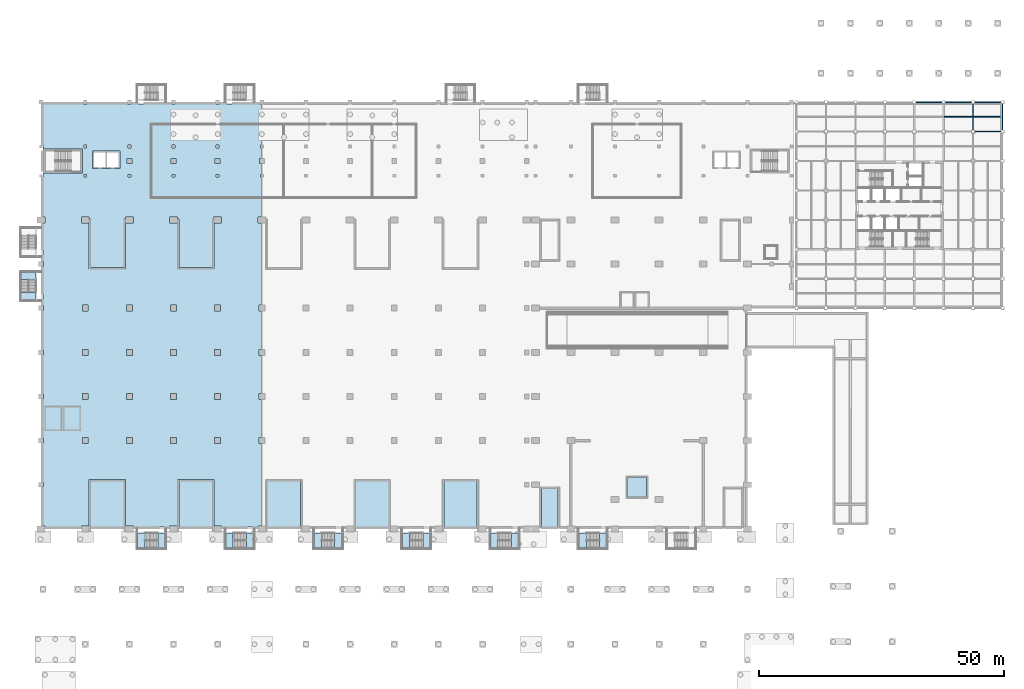
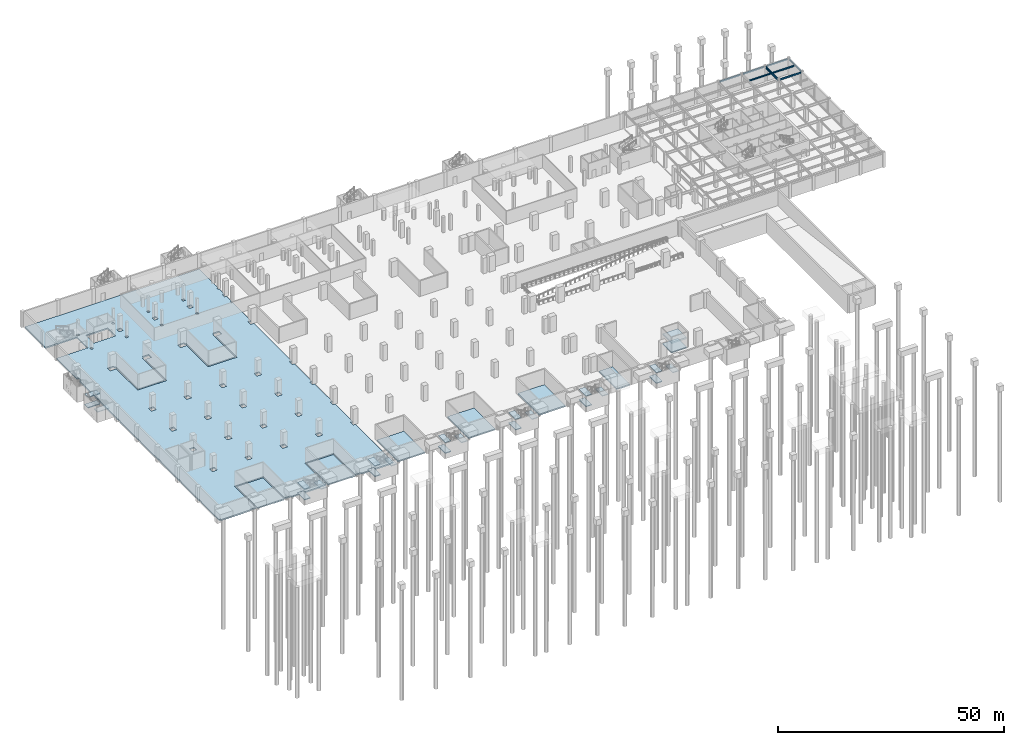
# One storey, part 7 of 27: 30 slabs, 8 beams, 7 elements without a shape of their own.
"""IFC4 building model written with IfcOpenShell, lengths in metres."""

from ifc_helpers import new_model, si_unit, direction, frame, origin, origin_2d, place, context, subcontext, project, spatial, polyline, i_section, outline, extrude, material, layer, layer_set, material_profile, profile_set, type_object, element, aggregate, save


model = new_model("IFC4")

# Units and contexts
model_context = context("Model", 3, precision=1e-05, world=origin(), true_north=direction((0.0, 1.0)))
body_context = subcontext(model_context, "Body", "Model", "MODEL_VIEW")
ifc_project = project(units=[si_unit("LENGTHUNIT", "METRE"), si_unit("AREAUNIT", "SQUARE_METRE"), si_unit("VOLUMEUNIT", "CUBIC_METRE"), si_unit("PLANEANGLEUNIT", "RADIAN"), si_unit("MASSUNIT", "GRAM", prefix="KILO")], contexts=[model_context])

# Site, building, storey
site_placement = place(None, origin())
site = spatial("IfcSite", under=ifc_project, at=site_placement, CompositionType="ELEMENT")
building_placement = place(site_placement, origin())
building = spatial("IfcBuilding", under=site, at=building_placement, Name="Aravalli Gate Trade Fair Centre", CompositionType="ELEMENT")
storey_placement = place(building_placement, frame((0.0, 0.0, -4.199951171875)))
storey = spatial("IfcBuildingStorey", under=building, at=storey_placement, Name="B1", CompositionType="ELEMENT", Elevation=-4.199951171875)

# Beams
ifc_material_1 = material(Name="Steel E350", Category="steel")
ifc_material_profile_1 = material_profile(ifc_material_1, i_section(OverallWidth=0.25, OverallDepth=0.60009765625, WebThickness=0.01123046875, FlangeThickness=0.021240234375, at=origin_2d()), Name="ISWB 600")
ifc_profile_set_1 = profile_set([ifc_material_profile_1], Name="Steel E350")
beam_type_1 = type_object("IfcBeamType", Name="Wing corner transfer girder ISWB 600 (podium floors)", PredefinedType="BEAM", material=ifc_profile_set_1)
beam_1_placement = place(storey_placement, frame((196.0, 127.300048828125, 3.699951171875), z_axis=(0.0, 1.0, 0.0), x_axis=(-1.0, 0.0, 0.0)))
element("IfcBeam", 1, at=beam_1_placement, inside=storey, type_object=beam_type_1, Name="Corner transfer girder CNEyb L00", PredefinedType="BEAM", context=body_context, shape_type="SweptSolid", body=[
    extrude(i_section(OverallWidth=0.25, OverallDepth=0.60009765625, WebThickness=0.01123046875, FlangeThickness=0.021240234375, at=origin_2d()), origin(), (0.0, 0.0, 1.0), 5.39990234375),
])
ifc_material_profile_2 = material_profile(ifc_material_1, i_section(OverallWidth=0.14990234375, OverallDepth=0.449951171875, WebThickness=0.009521484375, FlangeThickness=0.017333984375, at=origin_2d()), Name="ISMB 450")
ifc_profile_set_2 = profile_set([ifc_material_profile_2], Name="Steel E350")
beam_type_2 = type_object("IfcBeamType", Name="Wing perimeter beam ISMB 450 (podium floors)", PredefinedType="BEAM", material=ifc_profile_set_2)
for number, where, z_axis, x_axis, name in (
    (2, (184.300048828125, 133.0, 3.77490234375), (1.0, 0.0, 0.0), (0.0, 1.0, 0.0), "Perimeter beam EN4 L00"),
    (3, (190.300048828125, 133.0, 3.77490234375), (1.0, 0.0, 0.0), (0.0, 1.0, 0.0), "Perimeter beam EN5 L00"),
    (4, (196.300048828125, 133.0, 3.77490234375), (1.0, 0.0, 0.0), (0.0, 1.0, 0.0), "Perimeter beam EN6 L00"),
    (5, (196.300048828125, 127.0, 3.77490234375), (1.0, 0.0, 0.0), (0.0, 1.0, 0.0), "Perimeter beam EQ6 L00"),
    (6, (202.0, 127.300048828125, 3.77490234375), (0.0, 1.0, 0.0), (-1.0, 0.0, 0.0), "Perimeter beam EE6 L00"),
):
    element("IfcBeam", number, at=place(storey_placement, frame(where, z_axis=z_axis, x_axis=x_axis)), inside=storey, type_object=beam_type_2, Name=name, PredefinedType="BEAM", context=body_context, shape_type="SweptSolid", body=[
        extrude(i_section(OverallWidth=0.14990234375, OverallDepth=0.449951171875, WebThickness=0.009521484375, FlangeThickness=0.017333984375, at=origin_2d()), origin(), (0.0, 0.0, 1.0), 5.39990234375),
    ])
ifc_material_profile_3 = material_profile(ifc_material_1, i_section(OverallWidth=0.199951171875, OverallDepth=0.39990234375, WebThickness=0.008544921875, FlangeThickness=0.012939453125, at=origin_2d()), Name="ISWB 400")
ifc_profile_set_3 = profile_set([ifc_material_profile_3], Name="Steel E350")
beam_type_3 = type_object("IfcBeamType", Name="Wing secondary beam ISWB 400 (podium floors)", PredefinedType="BEAM", material=ifc_profile_set_3)
beam_2_placement = place(storey_placement, frame((190.125, 130.0, 3.800048828125), z_axis=(1.0, 0.0, 0.0), x_axis=(0.0, 1.0, 0.0)))
element("IfcBeam", 7, at=beam_2_placement, inside=storey, type_object=beam_type_3, Name="Secondary beam KEN10 L00", PredefinedType="BEAM", context=body_context, shape_type="SweptSolid", body=[
    extrude(i_section(OverallWidth=0.199951171875, OverallDepth=0.39990234375, WebThickness=0.008544921875, FlangeThickness=0.012939453125, at=origin_2d()), origin(), (0.0, 0.0, 1.0), 5.75),
])
beam_3_placement = place(storey_placement, frame((196.125, 130.0, 3.800048828125), z_axis=(1.0, 0.0, 0.0), x_axis=(0.0, 1.0, 0.0)))
element("IfcBeam", 8, at=beam_3_placement, inside=storey, type_object=beam_type_3, Name="Secondary beam KEN11 L00", PredefinedType="BEAM", context=body_context, shape_type="SweptSolid", body=[
    extrude(i_section(OverallWidth=0.199951171875, OverallDepth=0.39990234375, WebThickness=0.008544921875, FlangeThickness=0.012939453125, at=origin_2d()), origin(), (0.0, 0.0, 1.0), 5.800048828125),
])

# Slabs
ifc_material_2 = material(Name="Concrete M40", Category="concrete")
ifc_layer_1 = layer(ifc_material_2, 0.35009765625)
ifc_layer_set_1 = layer_set([ifc_layer_1], Name="Concrete M40")
slab_type_1 = type_object("IfcSlabType", Name="Basement floor slab 350", PredefinedType="FLOOR", material=ifc_layer_set_1)
slab_1_placement = place(storey_placement, frame((0.0, 0.0, -0.35009765625)))
element("IfcSlab", 9, at=slab_1_placement, inside=storey, type_object=slab_type_1, Name="Basement floor slab B1 west of the seismic joint, part 1 of 2", PredefinedType="FLOOR", context=body_context, shape_type="SweptSolid", body=[
    extrude(outline(polyline([(50.197998046875, 46.60205078125), (50.97998046875, 46.60205078125), (50.97998046875, 63.39794921875), (50.39794921875, 63.39794921875), (50.39794921875, 64.60205078125), (50.97998046875, 64.60205078125), (50.97998046875, 72.39794921875), (50.39794921875, 72.39794921875), (50.39794921875, 73.60205078125), (50.97998046875, 73.60205078125), (50.97998046875, 81.39794921875), (50.39794921875, 81.39794921875), (50.39794921875, 82.60205078125), (50.97998046875, 82.60205078125), (50.97998046875, 90.39794921875), (50.39794921875, 90.39794921875), (50.39794921875, 91.60205078125), (50.97998046875, 91.60205078125), (50.97998046875, 108.39794921875), (50.197998046875, 108.39794921875), (50.197998046875, 109.60205078125), (50.97998046875, 109.60205078125), (50.97998046875, 117.697998046875), (50.697998046875, 117.697998046875), (50.697998046875, 118.302001953125), (50.97998046875, 118.302001953125), (50.97998046875, 120.498046875), (50.498046875, 120.498046875), (50.498046875, 121.501953125), (50.97998046875, 121.501953125), (50.97998046875, 123.697998046875), (50.697998046875, 123.697998046875), (50.697998046875, 124.302001953125), (50.97998046875, 124.302001953125), (50.97998046875, 132.597900390625), (50.597900390625, 132.597900390625), (50.597900390625, 132.60009765625), (42.402099609375, 132.60009765625), (42.402099609375, 132.597900390625), (41.597900390625, 132.597900390625), (41.597900390625, 132.60009765625), (33.402099609375, 132.60009765625), (33.402099609375, 132.597900390625), (32.597900390625, 132.597900390625), (32.597900390625, 132.60009765625), (24.402099609375, 132.60009765625), (24.402099609375, 132.597900390625), (23.597900390625, 132.597900390625), (23.597900390625, 132.60009765625), (15.402099609375, 132.60009765625), (15.402099609375, 132.597900390625), (14.597900390625, 132.597900390625), (14.597900390625, 132.60009765625), (6.402099609375, 132.60009765625), (6.402099609375, 132.597900390625), (6.39990234375, 132.597900390625), (6.39990234375, 123.402099609375), (14.402099609375, 123.402099609375), (14.402099609375, 123.10205078125), (14.402099609375, 123.097900390625), (14.402099609375, 118.902099609375), (14.402099609375, 118.89794921875), (14.402099609375, 118.597900390625), (6.39990234375, 118.597900390625), (6.39990234375, 109.60205078125), (6.802001953125, 109.60205078125), (6.802001953125, 108.39794921875), (6.39990234375, 108.39794921875), (6.39990234375, 100.501953125), (6.501953125, 100.501953125), (6.501953125, 99.498046875), (6.39990234375, 99.498046875), (6.39990234375, 91.501953125), (6.501953125, 91.501953125), (6.501953125, 90.498046875), (6.39990234375, 90.498046875), (6.39990234375, 82.501953125), (6.501953125, 82.501953125), (6.501953125, 81.498046875), (6.39990234375, 81.498046875), (6.39990234375, 73.501953125), (6.501953125, 73.501953125), (6.501953125, 72.498046875), (6.39990234375, 72.498046875), (6.39990234375, 64.501953125), (6.501953125, 64.501953125), (6.501953125, 63.498046875), (6.39990234375, 63.498046875), (6.39990234375, 55.501953125), (6.501953125, 55.501953125), (6.501953125, 54.498046875), (6.39990234375, 54.498046875), (6.39990234375, 46.60205078125), (6.802001953125, 46.60205078125), (6.802001953125, 46.39990234375), (14.197998046875, 46.39990234375), (14.197998046875, 46.60205078125), (15.798095703125, 46.60205078125), (15.798095703125, 56.052001953125), (16.097900390625, 56.052001953125), (16.10205078125, 56.052001953125), (22.89794921875, 56.052001953125), (22.902099609375, 56.052001953125), (23.201904296875, 56.052001953125), (23.201904296875, 46.60205078125), (24.802001953125, 46.60205078125), (24.802001953125, 46.39990234375), (32.197998046875, 46.39990234375), (32.197998046875, 46.60205078125), (33.798095703125, 46.60205078125), (33.798095703125, 56.052001953125), (34.097900390625, 56.052001953125), (34.10205078125, 56.052001953125), (40.89794921875, 56.052001953125), (40.902099609375, 56.052001953125), (41.201904296875, 56.052001953125), (41.201904296875, 46.60205078125), (42.802001953125, 46.60205078125), (42.802001953125, 46.39990234375), (50.197998046875, 46.39990234375), (50.197998046875, 46.60205078125)]), holes=[polyline([(32.197998046875, 109.60205078125), (33.802001953125, 109.60205078125), (33.802001953125, 109.152099609375), (34.10205078125, 109.152099609375), (34.10205078125, 99.251953125), (40.89794921875, 99.251953125), (40.89794921875, 109.152099609375), (41.197998046875, 109.152099609375), (41.197998046875, 109.60205078125), (42.802001953125, 109.60205078125), (42.802001953125, 108.39794921875), (41.201904296875, 108.39794921875), (41.201904296875, 98.947998046875), (40.902099609375, 98.947998046875), (34.097900390625, 98.947998046875), (33.798095703125, 98.947998046875), (33.798095703125, 108.39794921875), (32.197998046875, 108.39794921875), (32.197998046875, 109.60205078125)]), polyline([(41.39794921875, 91.60205078125), (42.60205078125, 91.60205078125), (42.60205078125, 90.39794921875), (41.39794921875, 90.39794921875), (41.39794921875, 91.60205078125)]), polyline([(42.60205078125, 82.60205078125), (42.60205078125, 81.39794921875), (41.39794921875, 81.39794921875), (41.39794921875, 82.60205078125), (42.60205078125, 82.60205078125)]), polyline([(42.60205078125, 73.60205078125), (42.60205078125, 72.39794921875), (41.39794921875, 72.39794921875), (41.39794921875, 73.60205078125), (42.60205078125, 73.60205078125)]), polyline([(42.60205078125, 64.60205078125), (42.60205078125, 63.39794921875), (41.39794921875, 63.39794921875), (41.39794921875, 64.60205078125), (42.60205078125, 64.60205078125)]), polyline([(41.498046875, 121.501953125), (42.501953125, 121.501953125), (42.501953125, 120.498046875), (41.498046875, 120.498046875), (41.498046875, 121.501953125)]), polyline([(42.302001953125, 124.302001953125), (42.302001953125, 123.697998046875), (41.697998046875, 123.697998046875), (41.697998046875, 124.302001953125), (42.302001953125, 124.302001953125)]), polyline([(42.302001953125, 118.302001953125), (42.302001953125, 117.697998046875), (41.697998046875, 117.697998046875), (41.697998046875, 118.302001953125), (42.302001953125, 118.302001953125)]), polyline([(33.60205078125, 64.60205078125), (33.60205078125, 63.39794921875), (32.39794921875, 63.39794921875), (32.39794921875, 64.60205078125), (33.60205078125, 64.60205078125)]), polyline([(32.39794921875, 73.60205078125), (33.60205078125, 73.60205078125), (33.60205078125, 72.39794921875), (32.39794921875, 72.39794921875), (32.39794921875, 73.60205078125)]), polyline([(32.39794921875, 91.60205078125), (33.60205078125, 91.60205078125), (33.60205078125, 90.39794921875), (32.39794921875, 90.39794921875), (32.39794921875, 91.60205078125)]), polyline([(33.60205078125, 82.60205078125), (33.60205078125, 81.39794921875), (32.39794921875, 81.39794921875), (32.39794921875, 82.60205078125), (33.60205078125, 82.60205078125)]), polyline([(33.501953125, 121.501953125), (33.501953125, 120.498046875), (32.498046875, 120.498046875), (32.498046875, 121.501953125), (33.501953125, 121.501953125)]), polyline([(32.697998046875, 124.302001953125), (33.302001953125, 124.302001953125), (33.302001953125, 123.697998046875), (32.697998046875, 123.697998046875), (32.697998046875, 124.302001953125)]), polyline([(32.697998046875, 118.302001953125), (33.302001953125, 118.302001953125), (33.302001953125, 117.697998046875), (32.697998046875, 117.697998046875), (32.697998046875, 118.302001953125)]), polyline([(24.802001953125, 108.39794921875), (23.201904296875, 108.39794921875), (23.201904296875, 98.947998046875), (22.902099609375, 98.947998046875), (16.097900390625, 98.947998046875), (15.798095703125, 98.947998046875), (15.798095703125, 108.39794921875), (14.197998046875, 108.39794921875), (14.197998046875, 109.60205078125), (15.802001953125, 109.60205078125), (15.802001953125, 109.152099609375), (16.10205078125, 109.152099609375), (16.10205078125, 99.251953125), (22.89794921875, 99.251953125), (22.89794921875, 109.152099609375), (23.197998046875, 109.152099609375), (23.197998046875, 109.60205078125), (24.802001953125, 109.60205078125), (24.802001953125, 108.39794921875)]), polyline([(23.39794921875, 91.60205078125), (24.60205078125, 91.60205078125), (24.60205078125, 90.39794921875), (23.39794921875, 90.39794921875), (23.39794921875, 91.60205078125)]), polyline([(23.39794921875, 82.60205078125), (24.60205078125, 82.60205078125), (24.60205078125, 81.39794921875), (23.39794921875, 81.39794921875), (23.39794921875, 82.60205078125)]), polyline([(23.39794921875, 73.60205078125), (24.60205078125, 73.60205078125), (24.60205078125, 72.39794921875), (23.39794921875, 72.39794921875), (23.39794921875, 73.60205078125)]), polyline([(23.39794921875, 64.60205078125), (24.60205078125, 64.60205078125), (24.60205078125, 63.39794921875), (23.39794921875, 63.39794921875), (23.39794921875, 64.60205078125)]), polyline([(24.501953125, 121.501953125), (24.501953125, 120.498046875), (23.498046875, 120.498046875), (23.498046875, 121.501953125), (24.501953125, 121.501953125)]), polyline([(23.697998046875, 124.302001953125), (24.302001953125, 124.302001953125), (24.302001953125, 123.697998046875), (23.697998046875, 123.697998046875), (23.697998046875, 124.302001953125)]), polyline([(24.302001953125, 118.302001953125), (24.302001953125, 117.697998046875), (23.697998046875, 117.697998046875), (23.697998046875, 118.302001953125), (24.302001953125, 118.302001953125)]), polyline([(22.052001953125, 119.748046875), (22.052001953125, 119.498046875), (16.498046875, 119.498046875), (16.498046875, 119.748046875), (16.498046875, 119.751953125), (16.498046875, 122.748046875), (16.498046875, 122.751953125), (16.498046875, 123.001953125), (22.052001953125, 123.001953125), (22.052001953125, 122.751953125), (22.052001953125, 122.748046875), (22.052001953125, 119.751953125), (22.052001953125, 119.748046875)]), polyline([(15.60205078125, 91.60205078125), (15.60205078125, 90.39794921875), (14.39794921875, 90.39794921875), (14.39794921875, 91.60205078125), (15.60205078125, 91.60205078125)]), polyline([(15.60205078125, 82.60205078125), (15.60205078125, 81.39794921875), (14.39794921875, 81.39794921875), (14.39794921875, 82.60205078125), (15.60205078125, 82.60205078125)]), polyline([(15.60205078125, 73.60205078125), (15.60205078125, 72.39794921875), (14.39794921875, 72.39794921875), (14.39794921875, 73.60205078125), (15.60205078125, 73.60205078125)]), polyline([(15.60205078125, 64.60205078125), (15.60205078125, 63.39794921875), (14.39794921875, 63.39794921875), (14.39794921875, 64.60205078125), (15.60205078125, 64.60205078125)]), polyline([(14.697998046875, 118.302001953125), (15.302001953125, 118.302001953125), (15.302001953125, 117.697998046875), (14.697998046875, 117.697998046875), (14.697998046875, 118.302001953125)]), polyline([(15.302001953125, 124.302001953125), (15.302001953125, 123.697998046875), (14.697998046875, 123.697998046875), (14.697998046875, 124.302001953125), (15.302001953125, 124.302001953125)])]), origin(), (0.0, 0.0, 1.0), 0.35009765625),
])
slab_2_placement = place(storey_placement, frame((0.0, 0.0, -0.35009765625)))
element("IfcSlab", 10, at=slab_2_placement, inside=storey, type_object=slab_type_1, Name="Basement floor slab B1 west of the seismic joint", PredefinedType="FLOOR", context=body_context, shape_type="SweptSolid", body=[
    extrude(outline(polyline([(16.10205078125, 46.39990234375), (16.10205078125, 55.748046875), (22.89794921875, 55.748046875), (22.89794921875, 46.39990234375), (16.10205078125, 46.39990234375)])), origin(), (0.0, 0.0, 1.0), 0.35009765625),
])
slab_3_placement = place(storey_placement, frame((0.0, 0.0, -0.35009765625)))
element("IfcSlab", 11, at=slab_3_placement, inside=storey, type_object=slab_type_1, Name="Basement floor slab B1 west of the seismic joint", PredefinedType="FLOOR", context=body_context, shape_type="SweptSolid", body=[
    extrude(outline(polyline([(34.10205078125, 46.39990234375), (34.10205078125, 55.748046875), (40.89794921875, 55.748046875), (40.89794921875, 46.39990234375), (34.10205078125, 46.39990234375)])), origin(), (0.0, 0.0, 1.0), 0.35009765625),
])
slab_4_placement = place(storey_placement, frame((0.0, 0.0, -0.35009765625)))
element("IfcSlab", 12, at=slab_4_placement, inside=storey, type_object=slab_type_1, Name="Basement floor slab B1 west of the seismic joint", PredefinedType="FLOOR", context=body_context, shape_type="SweptSolid", body=[
    extrude(outline(polyline([(52.10205078125, 46.39990234375), (52.10205078125, 55.748046875), (58.89794921875, 55.748046875), (58.89794921875, 46.39990234375), (52.10205078125, 46.39990234375)])), origin(), (0.0, 0.0, 1.0), 0.35009765625),
])
slab_5_placement = place(storey_placement, frame((0.0, 0.0, -0.35009765625)))
element("IfcSlab", 13, at=slab_5_placement, inside=storey, type_object=slab_type_1, Name="Basement floor slab B1 west of the seismic joint", PredefinedType="FLOOR", context=body_context, shape_type="SweptSolid", body=[
    extrude(outline(polyline([(70.10205078125, 46.39990234375), (70.10205078125, 55.748046875), (76.89794921875, 55.748046875), (76.89794921875, 46.39990234375), (70.10205078125, 46.39990234375)])), origin(), (0.0, 0.0, 1.0), 0.35009765625),
])
slab_6_placement = place(storey_placement, frame((0.0, 0.0, -0.35009765625)))
element("IfcSlab", 14, at=slab_6_placement, inside=storey, type_object=slab_type_1, Name="Basement floor slab B1 west of the seismic joint", PredefinedType="FLOOR", context=body_context, shape_type="SweptSolid", body=[
    extrude(outline(polyline([(88.10205078125, 46.39990234375), (88.10205078125, 55.748046875), (94.89794921875, 55.748046875), (94.89794921875, 46.39990234375), (88.10205078125, 46.39990234375)])), origin(), (0.0, 0.0, 1.0), 0.35009765625),
])
slab_7_placement = place(storey_placement, frame((0.0, 0.0, -0.35009765625)))
element("IfcSlab", 15, at=slab_7_placement, inside=storey, type_object=slab_type_1, Name="Basement floor slab B1 west of the seismic joint", PredefinedType="FLOOR", context=body_context, shape_type="SweptSolid", body=[
    extrude(outline(polyline([(108.001953125, 46.39990234375), (108.001953125, 54.197998046875), (111.39794921875, 54.197998046875), (111.39794921875, 46.39990234375), (108.001953125, 46.39990234375)])), origin(), (0.0, 0.0, 1.0), 0.35009765625),
])
slab_8_placement = place(storey_placement, frame((0.0, 0.0, -0.35009765625)))
element("IfcSlab", 16, at=slab_8_placement, inside=storey, type_object=slab_type_1, Name="Basement floor slab B1 west of the seismic joint", PredefinedType="FLOOR", context=body_context, shape_type="SweptSolid", body=[
    extrude(outline(polyline([(125.552001953125, 52.552001953125), (125.552001953125, 56.447998046875), (129.447998046875, 56.447998046875), (129.447998046875, 52.552001953125), (125.552001953125, 52.552001953125)])), origin(), (0.0, 0.0, 1.0), 0.35009765625),
])

# Stair, slabs
stair_type = type_object("IfcStairType", Name="Basement exit stair 1500", PredefinedType="HALF_TURN_STAIR", material=ifc_material_2)
stair_1_placement = place(storey_placement, origin())
stair_1 = element("IfcStair", 17, at=stair_1_placement, inside=storey, type_object=stair_type, Name="Basement exit stair W1 B1 to L00", PredefinedType="HALF_TURN_STAIR")
ifc_material_3 = material(Name="Concrete M35", Category="concrete")
ifc_layer_2 = layer(ifc_material_3, 0.199951171875)
ifc_layer_set_2 = layer_set([ifc_layer_2], Name="Concrete M35")
slab_type_2 = type_object("IfcSlabType", Name="Basement stair landing 200", PredefinedType="LANDING", material=ifc_layer_set_2)
slab_9_placement = place(storey_placement, frame((0.0, 0.0, 1.199951171875)))
slab_9 = element("IfcSlab", 18, at=slab_9_placement, type_object=slab_type_2, Name="BS1 landing 1", PredefinedType="LANDING", context=body_context, shape_type="SweptSolid", body=[
    extrude(outline(polyline([(5.0, 96.85009765625), (5.0, 98.35009765625), (1.89990234375, 98.35009765625), (1.89990234375, 96.85009765625), (5.0, 96.85009765625)])), origin(), (0.0, 0.0, 1.0), 0.199951171875),
])
slab_10_placement = place(storey_placement, frame((0.0, 0.0, 2.599853515625)))
slab_10 = element("IfcSlab", 19, at=slab_10_placement, type_object=slab_type_2, Name="BS1 landing 2", PredefinedType="LANDING", context=body_context, shape_type="SweptSolid", body=[
    extrude(outline(polyline([(5.0, 92.64990234375), (5.0, 94.14990234375), (1.89990234375, 94.14990234375), (1.89990234375, 92.64990234375), (5.0, 92.64990234375)])), origin(), (0.0, 0.0, 1.0), 0.2001953125),
])
slab_11_placement = place(storey_placement, frame((0.0, 0.0, 4.0)))
slab_11 = element("IfcSlab", 20, at=slab_11_placement, type_object=slab_type_2, Name="BS1 landing 3", PredefinedType="LANDING", context=body_context, shape_type="SweptSolid", body=[
    extrude(outline(polyline([(5.0, 96.85009765625), (5.0, 98.35009765625), (1.89990234375, 98.35009765625), (1.89990234375, 96.85009765625), (5.0, 96.85009765625)])), origin(), (0.0, 0.0, 1.0), 0.199951171875),
])
aggregate(stair_1, [slab_9, slab_10, slab_11])

stair_2_placement = place(storey_placement, origin())
stair_2 = element("IfcStair", 21, at=stair_2_placement, inside=storey, type_object=stair_type, Name="Basement exit stair S1 B1 to L00", PredefinedType="HALF_TURN_STAIR")
slab_12_placement = place(storey_placement, frame((0.0, 0.0, 1.199951171875)))
slab_12 = element("IfcSlab", 22, at=slab_12_placement, type_object=slab_type_2, Name="BS1 landing 1", PredefinedType="LANDING", context=body_context, shape_type="SweptSolid", body=[
    extrude(outline(polyline([(27.14990234375, 45.199951171875), (25.64990234375, 45.199951171875), (25.64990234375, 42.10009765625), (27.14990234375, 42.10009765625), (27.14990234375, 45.199951171875)])), origin(), (0.0, 0.0, 1.0), 0.199951171875),
])
slab_13_placement = place(storey_placement, frame((0.0, 0.0, 2.599853515625)))
slab_13 = element("IfcSlab", 23, at=slab_13_placement, type_object=slab_type_2, Name="BS1 landing 2", PredefinedType="LANDING", context=body_context, shape_type="SweptSolid", body=[
    extrude(outline(polyline([(31.35009765625, 45.199951171875), (29.85009765625, 45.199951171875), (29.85009765625, 42.10009765625), (31.35009765625, 42.10009765625), (31.35009765625, 45.199951171875)])), origin(), (0.0, 0.0, 1.0), 0.2001953125),
])
slab_14_placement = place(storey_placement, frame((0.0, 0.0, 4.0)))
slab_14 = element("IfcSlab", 24, at=slab_14_placement, type_object=slab_type_2, Name="BS1 landing 3", PredefinedType="LANDING", context=body_context, shape_type="SweptSolid", body=[
    extrude(outline(polyline([(27.14990234375, 45.199951171875), (25.64990234375, 45.199951171875), (25.64990234375, 42.10009765625), (27.14990234375, 42.10009765625), (27.14990234375, 45.199951171875)])), origin(), (0.0, 0.0, 1.0), 0.199951171875),
])
aggregate(stair_2, [slab_12, slab_13, slab_14])

stair_3_placement = place(storey_placement, origin())
stair_3 = element("IfcStair", 25, at=stair_3_placement, inside=storey, type_object=stair_type, Name="Basement exit stair S2 B1 to L00", PredefinedType="HALF_TURN_STAIR")
slab_15_placement = place(storey_placement, frame((0.0, 0.0, 1.199951171875)))
slab_15 = element("IfcSlab", 26, at=slab_15_placement, type_object=slab_type_2, Name="BS1 landing 1", PredefinedType="LANDING", context=body_context, shape_type="SweptSolid", body=[
    extrude(outline(polyline([(45.14990234375, 45.199951171875), (43.64990234375, 45.199951171875), (43.64990234375, 42.10009765625), (45.14990234375, 42.10009765625), (45.14990234375, 45.199951171875)])), origin(), (0.0, 0.0, 1.0), 0.199951171875),
])
slab_16_placement = place(storey_placement, frame((0.0, 0.0, 2.599853515625)))
slab_16 = element("IfcSlab", 27, at=slab_16_placement, type_object=slab_type_2, Name="BS1 landing 2", PredefinedType="LANDING", context=body_context, shape_type="SweptSolid", body=[
    extrude(outline(polyline([(49.35009765625, 45.199951171875), (47.85009765625, 45.199951171875), (47.85009765625, 42.10009765625), (49.35009765625, 42.10009765625), (49.35009765625, 45.199951171875)])), origin(), (0.0, 0.0, 1.0), 0.2001953125),
])
slab_17_placement = place(storey_placement, frame((0.0, 0.0, 4.0)))
slab_17 = element("IfcSlab", 28, at=slab_17_placement, type_object=slab_type_2, Name="BS1 landing 3", PredefinedType="LANDING", context=body_context, shape_type="SweptSolid", body=[
    extrude(outline(polyline([(45.14990234375, 45.199951171875), (43.64990234375, 45.199951171875), (43.64990234375, 42.10009765625), (45.14990234375, 42.10009765625), (45.14990234375, 45.199951171875)])), origin(), (0.0, 0.0, 1.0), 0.199951171875),
])
aggregate(stair_3, [slab_15, slab_16, slab_17])

stair_4_placement = place(storey_placement, origin())
stair_4 = element("IfcStair", 29, at=stair_4_placement, inside=storey, type_object=stair_type, Name="Basement exit stair S3 B1 to L00", PredefinedType="HALF_TURN_STAIR")
slab_18_placement = place(storey_placement, frame((0.0, 0.0, 1.199951171875)))
slab_18 = element("IfcSlab", 30, at=slab_18_placement, type_object=slab_type_2, Name="BS1 landing 1", PredefinedType="LANDING", context=body_context, shape_type="SweptSolid", body=[
    extrude(outline(polyline([(63.14990234375, 45.199951171875), (61.64990234375, 45.199951171875), (61.64990234375, 42.10009765625), (63.14990234375, 42.10009765625), (63.14990234375, 45.199951171875)])), origin(), (0.0, 0.0, 1.0), 0.199951171875),
])
slab_19_placement = place(storey_placement, frame((0.0, 0.0, 2.599853515625)))
slab_19 = element("IfcSlab", 31, at=slab_19_placement, type_object=slab_type_2, Name="BS1 landing 2", PredefinedType="LANDING", context=body_context, shape_type="SweptSolid", body=[
    extrude(outline(polyline([(67.35009765625, 45.199951171875), (65.85009765625, 45.199951171875), (65.85009765625, 42.10009765625), (67.35009765625, 42.10009765625), (67.35009765625, 45.199951171875)])), origin(), (0.0, 0.0, 1.0), 0.2001953125),
])
slab_20_placement = place(storey_placement, frame((0.0, 0.0, 4.0)))
slab_20 = element("IfcSlab", 32, at=slab_20_placement, type_object=slab_type_2, Name="BS1 landing 3", PredefinedType="LANDING", context=body_context, shape_type="SweptSolid", body=[
    extrude(outline(polyline([(63.14990234375, 45.199951171875), (61.64990234375, 45.199951171875), (61.64990234375, 42.10009765625), (63.14990234375, 42.10009765625), (63.14990234375, 45.199951171875)])), origin(), (0.0, 0.0, 1.0), 0.199951171875),
])
aggregate(stair_4, [slab_18, slab_19, slab_20])

stair_5_placement = place(storey_placement, origin())
stair_5 = element("IfcStair", 33, at=stair_5_placement, inside=storey, type_object=stair_type, Name="Basement exit stair S4 B1 to L00", PredefinedType="HALF_TURN_STAIR")
slab_21_placement = place(storey_placement, frame((0.0, 0.0, 1.199951171875)))
slab_21 = element("IfcSlab", 34, at=slab_21_placement, type_object=slab_type_2, Name="BS1 landing 1", PredefinedType="LANDING", context=body_context, shape_type="SweptSolid", body=[
    extrude(outline(polyline([(81.14990234375, 45.199951171875), (79.64990234375, 45.199951171875), (79.64990234375, 42.10009765625), (81.14990234375, 42.10009765625), (81.14990234375, 45.199951171875)])), origin(), (0.0, 0.0, 1.0), 0.199951171875),
])
slab_22_placement = place(storey_placement, frame((0.0, 0.0, 2.599853515625)))
slab_22 = element("IfcSlab", 35, at=slab_22_placement, type_object=slab_type_2, Name="BS1 landing 2", PredefinedType="LANDING", context=body_context, shape_type="SweptSolid", body=[
    extrude(outline(polyline([(85.35009765625, 45.199951171875), (83.85009765625, 45.199951171875), (83.85009765625, 42.10009765625), (85.35009765625, 42.10009765625), (85.35009765625, 45.199951171875)])), origin(), (0.0, 0.0, 1.0), 0.2001953125),
])
slab_23_placement = place(storey_placement, frame((0.0, 0.0, 4.0)))
slab_23 = element("IfcSlab", 36, at=slab_23_placement, type_object=slab_type_2, Name="BS1 landing 3", PredefinedType="LANDING", context=body_context, shape_type="SweptSolid", body=[
    extrude(outline(polyline([(81.14990234375, 45.199951171875), (79.64990234375, 45.199951171875), (79.64990234375, 42.10009765625), (81.14990234375, 42.10009765625), (81.14990234375, 45.199951171875)])), origin(), (0.0, 0.0, 1.0), 0.199951171875),
])
aggregate(stair_5, [slab_21, slab_22, slab_23])

stair_6_placement = place(storey_placement, origin())
stair_6 = element("IfcStair", 37, at=stair_6_placement, inside=storey, type_object=stair_type, Name="Basement exit stair S5 B1 to L00", PredefinedType="HALF_TURN_STAIR")
slab_24_placement = place(storey_placement, frame((0.0, 0.0, 1.199951171875)))
slab_24 = element("IfcSlab", 38, at=slab_24_placement, type_object=slab_type_2, Name="BS1 landing 1", PredefinedType="LANDING", context=body_context, shape_type="SweptSolid", body=[
    extrude(outline(polyline([(99.14990234375, 45.199951171875), (97.64990234375, 45.199951171875), (97.64990234375, 42.10009765625), (99.14990234375, 42.10009765625), (99.14990234375, 45.199951171875)])), origin(), (0.0, 0.0, 1.0), 0.199951171875),
])
slab_25_placement = place(storey_placement, frame((0.0, 0.0, 2.599853515625)))
slab_25 = element("IfcSlab", 39, at=slab_25_placement, type_object=slab_type_2, Name="BS1 landing 2", PredefinedType="LANDING", context=body_context, shape_type="SweptSolid", body=[
    extrude(outline(polyline([(103.35009765625, 45.199951171875), (101.85009765625, 45.199951171875), (101.85009765625, 42.10009765625), (103.35009765625, 42.10009765625), (103.35009765625, 45.199951171875)])), origin(), (0.0, 0.0, 1.0), 0.2001953125),
])
slab_26_placement = place(storey_placement, frame((0.0, 0.0, 4.0)))
slab_26 = element("IfcSlab", 40, at=slab_26_placement, type_object=slab_type_2, Name="BS1 landing 3", PredefinedType="LANDING", context=body_context, shape_type="SweptSolid", body=[
    extrude(outline(polyline([(99.14990234375, 45.199951171875), (97.64990234375, 45.199951171875), (97.64990234375, 42.10009765625), (99.14990234375, 42.10009765625), (99.14990234375, 45.199951171875)])), origin(), (0.0, 0.0, 1.0), 0.199951171875),
])
aggregate(stair_6, [slab_24, slab_25, slab_26])

stair_7_placement = place(storey_placement, origin())
stair_7 = element("IfcStair", 41, at=stair_7_placement, inside=storey, type_object=stair_type, Name="Basement exit stair S6 B1 to L00", PredefinedType="HALF_TURN_STAIR")
slab_27_placement = place(storey_placement, frame((0.0, 0.0, 1.199951171875)))
slab_27 = element("IfcSlab", 42, at=slab_27_placement, type_object=slab_type_2, Name="BS1 landing 1", PredefinedType="LANDING", context=body_context, shape_type="SweptSolid", body=[
    extrude(outline(polyline([(117.14990234375, 45.199951171875), (115.64990234375, 45.199951171875), (115.64990234375, 42.10009765625), (117.14990234375, 42.10009765625), (117.14990234375, 45.199951171875)])), origin(), (0.0, 0.0, 1.0), 0.199951171875),
])
slab_28_placement = place(storey_placement, frame((0.0, 0.0, 2.599853515625)))
slab_28 = element("IfcSlab", 43, at=slab_28_placement, type_object=slab_type_2, Name="BS1 landing 2", PredefinedType="LANDING", context=body_context, shape_type="SweptSolid", body=[
    extrude(outline(polyline([(121.35009765625, 45.199951171875), (119.85009765625, 45.199951171875), (119.85009765625, 42.10009765625), (121.35009765625, 42.10009765625), (121.35009765625, 45.199951171875)])), origin(), (0.0, 0.0, 1.0), 0.2001953125),
])
slab_29_placement = place(storey_placement, frame((0.0, 0.0, 4.0)))
slab_29 = element("IfcSlab", 44, at=slab_29_placement, type_object=slab_type_2, Name="BS1 landing 3", PredefinedType="LANDING", context=body_context, shape_type="SweptSolid", body=[
    extrude(outline(polyline([(117.14990234375, 45.199951171875), (115.64990234375, 45.199951171875), (115.64990234375, 42.10009765625), (117.14990234375, 42.10009765625), (117.14990234375, 45.199951171875)])), origin(), (0.0, 0.0, 1.0), 0.199951171875),
])
aggregate(stair_7, [slab_27, slab_28, slab_29])

# Slab
ifc_material_4 = material(Name="Concrete M45", Category="concrete")
ifc_layer_3 = layer(ifc_material_4, 0.39990234375)
ifc_layer_set_3 = layer_set([ifc_layer_3], Name="Concrete M45")
slab_type_3 = type_object("IfcSlabType", Name="Congress lift pit slab RC 400", PredefinedType="BASESLAB", material=ifc_layer_set_3)
slab_30_placement = place(storey_placement, frame((0.0, 0.0, 2.199951171875)))
element("IfcSlab", 45, at=slab_30_placement, inside=storey, type_object=slab_type_3, Name="Goods lift pit slab", PredefinedType="BASESLAB", context=body_context, shape_type="SweptSolid", body=[
    extrude(outline(polyline([(125.550048828125, 52.550048828125), (129.449951171875, 52.550048828125), (129.449951171875, 56.449951171875), (125.550048828125, 56.449951171875), (125.550048828125, 52.550048828125)])), origin(), (0.0, 0.0, 1.0), 0.39990234375),
])

save(model, "model.ifc")
